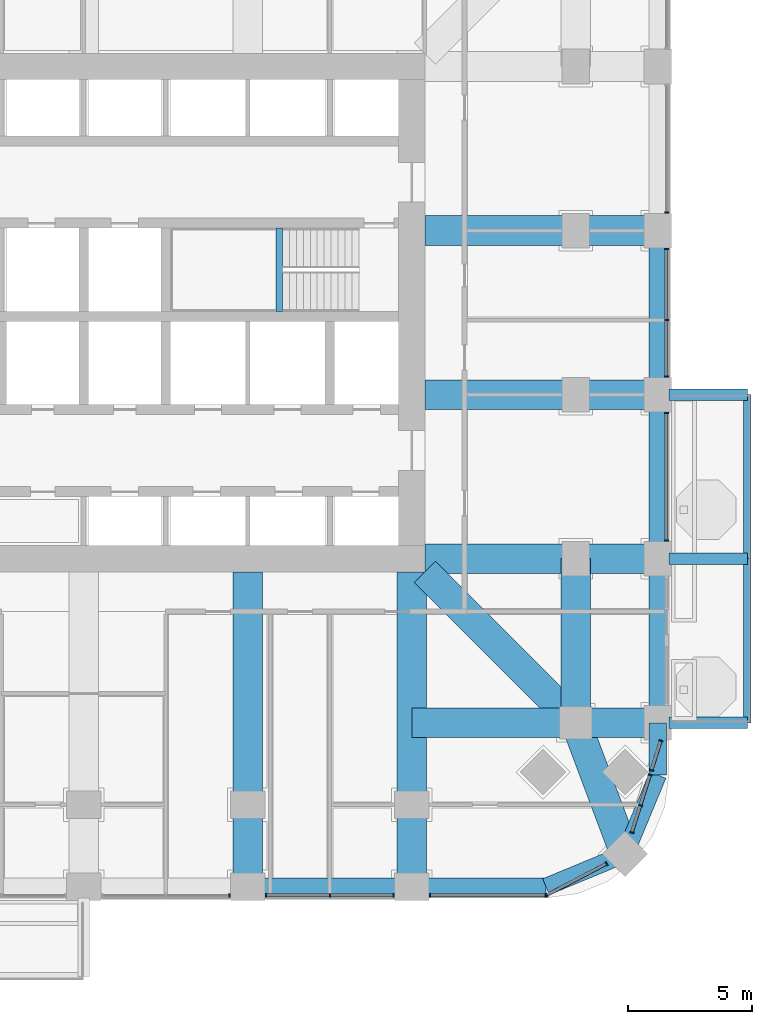
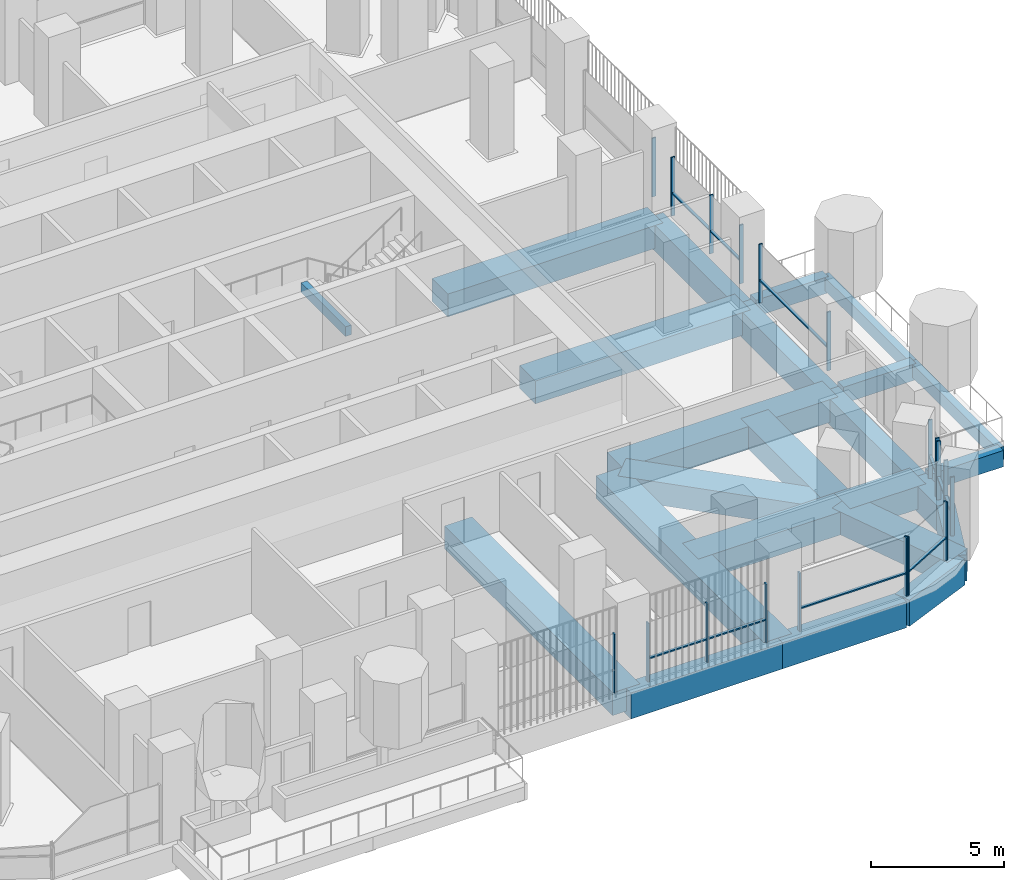
# One storey, part 5 of 21: 29 members, 24 beams, 9 elements without a shape of their own.
"""IFC4 building model written with IfcOpenShell, lengths in metres."""

from ifc_helpers import new_model, si_unit, direction, frame, origin, origin_2d, place, context, subcontext, project, spatial, rectangle, extrude, material, material_profile, profile_set, type_object, element, aggregate, save


model = new_model("IFC4")

# Units and contexts
model_context = context("Model", 3, precision=1e-05, world=origin(), true_north=direction((0.0, 1.0)))
body_context = subcontext(model_context, "Body", "Model", "MODEL_VIEW")
ifc_project = project(units=[si_unit("LENGTHUNIT", "METRE"), si_unit("AREAUNIT", "SQUARE_METRE"), si_unit("VOLUMEUNIT", "CUBIC_METRE"), si_unit("PLANEANGLEUNIT", "RADIAN"), si_unit("MASSUNIT", "GRAM", prefix="KILO")], contexts=[model_context])

# Site, building, storey
site_placement = place(None, origin())
site = spatial("IfcSite", under=ifc_project, at=site_placement, CompositionType="ELEMENT")
building_placement = place(site_placement, origin())
building = spatial("IfcBuilding", under=site, at=building_placement, Name="Cobogo Forest Laboratory Tower", CompositionType="ELEMENT")
storey_placement = place(building_placement, frame((0.0, 0.0, 115.800048828125)))
storey = spatial("IfcBuildingStorey", under=building, at=storey_placement, Name="L26", CompositionType="ELEMENT", Elevation=115.800048828125)

# Beams
ifc_material_1 = material(Name="Concrete HA-40 (C40/50)", Category="concrete")
ifc_material_profile_1 = material_profile(ifc_material_1, rectangle(XDim=0.449951171875, YDim=0.75, at=origin_2d()), Name="RC 450x750")
ifc_profile_set_1 = profile_set([ifc_material_profile_1], Name="Concrete HA-40 (C40/50)")
beam_type_1 = type_object("IfcBeamType", Name="Balcony cantilever beam 450x750", PredefinedType="BEAM", material=ifc_profile_set_1)
for number, where, z_axis, x_axis, name in (
    (1, (49.949951171875, 6.60009765625, -0.625), (1.0, 0.0, 0.0), (0.0, 1.0, 0.0), "CB1 BAL-E1-C1 L26"),
    (2, (49.949951171875, 13.199951171875, -0.625), (1.0, 0.0, 0.0), (0.0, 1.0, 0.0), "CB1 BAL-E1-C2 L26"),
    (3, (49.949951171875, 19.800048828125, -0.625), (1.0, 0.0, 0.0), (0.0, 1.0, 0.0), "CB1 BAL-E1-C3 L26"),
):
    element("IfcBeam", number, at=place(storey_placement, frame(where, z_axis=z_axis, x_axis=x_axis)), inside=storey, type_object=beam_type_1, Name=name, PredefinedType="BEAM", context=body_context, shape_type="SweptSolid", body=[
        extrude(rectangle(XDim=0.449951171875, YDim=0.75, at=origin_2d()), origin(), (0.0, 0.0, 1.0), 3.150146484375),
    ])
ifc_material_profile_2 = material_profile(ifc_material_1, rectangle(XDim=0.300048828125, YDim=0.60009765625, at=origin_2d()), Name="RC 300x600")
ifc_profile_set_2 = profile_set([ifc_material_profile_2], Name="Concrete HA-40 (C40/50)")
beam_type_2 = type_object("IfcBeamType", Name="Balcony edge beam 300x600", PredefinedType="BEAM", material=ifc_profile_set_2)
beam_1_placement = place(storey_placement, frame((53.10009765625, 6.60009765625, -0.550048828125), z_axis=(0.0, 1.0, 0.0), x_axis=(-1.0, 0.0, 0.0)))
element("IfcBeam", 4, at=beam_1_placement, inside=storey, type_object=beam_type_2, Name="BB1 BAL-E1-T1 L26", PredefinedType="BEAM", context=body_context, shape_type="SweptSolid", body=[
    extrude(rectangle(XDim=0.300048828125, YDim=0.60009765625, at=origin_2d()), origin(), (0.0, 0.0, 1.0), 6.599853515625),
])
beam_2_placement = place(storey_placement, frame((53.10009765625, 13.199951171875, -0.550048828125), z_axis=(0.0, 1.0, 0.0), x_axis=(-1.0, 0.0, 0.0)))
element("IfcBeam", 5, at=beam_2_placement, inside=storey, type_object=beam_type_2, Name="BB1 BAL-E1-T2 L26", PredefinedType="BEAM", context=body_context, shape_type="SweptSolid", body=[
    extrude(rectangle(XDim=0.300048828125, YDim=0.60009765625, at=origin_2d()), origin(), (0.0, 0.0, 1.0), 6.60009765625),
])
ifc_material_profile_3 = material_profile(ifc_material_1, rectangle(XDim=0.25, YDim=0.449951171875, at=origin_2d()), Name="RC 250x450")
ifc_profile_set_3 = profile_set([ifc_material_profile_3], Name="Concrete HA-40 (C40/50)")
beam_type_3 = type_object("IfcBeamType", Name="LB1 landing beam 250x450", PredefinedType="BEAM", material=ifc_profile_set_3)
beam_3_placement = place(storey_placement, frame((34.27001953125, 23.14990234375, 1.675048828125), z_axis=(0.0, 1.0, 0.0), x_axis=(-1.0, 0.0, 0.0)))
element("IfcBeam", 6, at=beam_3_placement, inside=storey, type_object=beam_type_3, Name="Landing beam ST2 L26", PredefinedType="BEAM", context=body_context, shape_type="SweptSolid", body=[
    extrude(rectangle(XDim=0.25, YDim=0.449951171875, at=origin_2d()), origin(), (0.0, 0.0, 1.0), 3.35009765625),
])
ifc_material_profile_4 = material_profile(ifc_material_1, rectangle(XDim=1.199951171875, YDim=1.050048828125, at=origin_2d()), Name="RC 1200x1050")
ifc_profile_set_4 = profile_set([ifc_material_profile_4], Name="Concrete HA-40 (C40/50)")
beam_type_4 = type_object("IfcBeamType", Name="Laboratory floor wide beam 1200x1050", PredefinedType="BEAM", material=ifc_profile_set_4)
for number, where, z_axis, x_axis, name in (
    (7, (33.0, 12.675048828125, -0.824951171875), (0.0, -1.0, 0.0), (1.0, 0.0, 0.0), "RB1 R-6-S L26"),
    (8, (39.60009765625, 12.675048828125, -0.824951171875), (0.0, -1.0, 0.0), (1.0, 0.0, 0.0), "RB1 R-7-S L26"),
):
    element("IfcBeam", number, at=place(storey_placement, frame(where, z_axis=z_axis, x_axis=x_axis)), inside=storey, type_object=beam_type_4, Name=name, PredefinedType="BEAM", context=body_context, shape_type="SweptSolid", body=[
        extrude(rectangle(XDim=1.199951171875, YDim=1.050048828125, at=origin_2d()), origin(), (0.0, 0.0, 1.0), 12.675048828125),
    ])
for number, where, z_axis, x_axis, name in (
    (9, (40.125, 13.199951171875, -0.824951171875), (1.0, 0.0, 0.0), (0.0, 1.0, 0.0), "RB1 R-C-E L26"),
    (10, (40.125, 19.800048828125, -0.824951171875), (1.0, 0.0, 0.0), (0.0, 1.0, 0.0), "RB1 R-D-E L26"),
    (11, (40.125, 26.39990234375, -0.824951171875), (1.0, 0.0, 0.0), (0.0, 1.0, 0.0), "RB1 R-E-E L26"),
):
    element("IfcBeam", number, at=place(storey_placement, frame(where, z_axis=z_axis, x_axis=x_axis)), inside=storey, type_object=beam_type_4, Name=name, PredefinedType="BEAM", context=body_context, shape_type="SweptSolid", body=[
        extrude(rectangle(XDim=1.199951171875, YDim=1.050048828125, at=origin_2d()), origin(), (0.0, 0.0, 1.0), 9.375),
    ])
beam_4_placement = place(storey_placement, frame((46.199951171875, 6.60009765625, -0.824951171875), z_axis=(0.0, 1.0, 0.0), x_axis=(-1.0, 0.0, 0.0)))
element("IfcBeam", 12, at=beam_4_placement, inside=storey, type_object=beam_type_4, Name="RB1 G-SE-XC L26", PredefinedType="BEAM", context=body_context, shape_type="SweptSolid", body=[
    extrude(rectangle(XDim=1.199951171875, YDim=1.050048828125, at=origin_2d()), origin(), (0.0, 0.0, 1.0), 6.599853515625),
])
beam_5_placement = place(storey_placement, frame((49.5, 6.60009765625, -0.824951171875), z_axis=(-1.0, 0.0, 0.0), x_axis=(0.0, -1.0, 0.0)))
element("IfcBeam", 13, at=beam_5_placement, inside=storey, type_object=beam_type_4, Name="RB1 G-SE-YF L26", PredefinedType="BEAM", context=body_context, shape_type="SweptSolid", body=[
    extrude(rectangle(XDim=1.199951171875, YDim=1.050048828125, at=origin_2d()), origin(), (0.0, 0.0, 1.0), 3.300048828125),
])
beam_6_placement = place(storey_placement, frame((46.199951171875, 6.60009765625, -0.824951171875), z_axis=(-1.0, 0.0, 0.0), x_axis=(0.0, -1.0, 0.0)))
element("IfcBeam", 14, at=beam_6_placement, inside=storey, type_object=beam_type_4, Name="RB1 G-SE-YC L26", PredefinedType="BEAM", context=body_context, shape_type="SweptSolid", body=[
    extrude(rectangle(XDim=1.199951171875, YDim=1.050048828125, at=origin_2d()), origin(), (0.0, 0.0, 1.0), 6.599853515625),
])
beam_7_placement = place(storey_placement, frame((48.181884765625, 1.318115234375, -0.824951171875), z_axis=(-0.351308391925, 0.936259800356, 0.0), x_axis=(-0.936259800356, -0.351308391925, 0.0)))
element("IfcBeam", 15, at=beam_7_placement, inside=storey, type_object=beam_type_4, Name="RB1 G-SE-D1 L26", PredefinedType="BEAM", context=body_context, shape_type="SweptSolid", body=[
    extrude(rectangle(XDim=1.199951171875, YDim=1.050048828125, at=origin_2d()), origin(), (0.0, 0.0, 1.0), 5.6416015625),
])
beam_8_placement = place(storey_placement, frame((46.199951171875, 6.60009765625, -0.824951171875), z_axis=(-0.707106781187, 0.707106781187, 0.0), x_axis=(-0.707106781187, -0.707106781187, 0.0)))
element("IfcBeam", 16, at=beam_8_placement, inside=storey, type_object=beam_type_4, Name="RB1 G-SE-D2 L26", PredefinedType="BEAM", context=body_context, shape_type="SweptSolid", body=[
    extrude(rectangle(XDim=1.199951171875, YDim=1.050048828125, at=origin_2d()), origin(), (0.0, 0.0, 1.0), 8.59130859375),
])

# Curtain wall, member
ifc_material_2 = material(Name="Aluminium curtain wall", Category="aluminium")
curtain_wall_type = type_object("IfcCurtainWallType", Name="CW-1 unitised curtain wall, clear glazing, laboratory floors zones A and B", PredefinedType="USERDEFINED", material=ifc_material_2)
curtain_wall_1_placement = place(storey_placement, origin())
curtain_wall_1 = element("IfcCurtainWall", 17, at=curtain_wall_1_placement, inside=storey, type_object=curtain_wall_type, Name="Curtain wall 04 L26", ObjectType="UNITISED CURTAIN WALL", PredefinedType="USERDEFINED")
ifc_material_3 = material(Name="Aluminium mullion", Category="aluminium")
ifc_material_profile_5 = material_profile(ifc_material_3, rectangle(XDim=0.06005859375, YDim=0.159912109375, at=origin_2d()), Name="AL 60x160")
ifc_profile_set_5 = profile_set([ifc_material_profile_5], Name="Aluminium mullion")
member_type_1 = type_object("IfcMemberType", Name="MU-1 aluminium mullion 60x160", PredefinedType="MULLION", material=ifc_profile_set_5)
member_1_placement = place(storey_placement, frame((32.27001953125, -0.35009765625, 0.0), z_axis=(0.0, 0.0, 1.0), x_axis=(1.0, 0.0, 0.0)))
member_1 = element("IfcMember", 18, at=member_1_placement, type_object=member_type_1, Name="CW-1 mullion 3", PredefinedType="MULLION", context=body_context, shape_type="SweptSolid", body=[
    extrude(rectangle(XDim=0.06005859375, YDim=0.159912109375, at=origin_2d()), origin(), (0.0, 0.0, 1.0), 2.699951171875),
])
aggregate(curtain_wall_1, [member_1])

# Curtain wall, members
curtain_wall_2_placement = place(storey_placement, origin())
curtain_wall_2 = element("IfcCurtainWall", 19, at=curtain_wall_2_placement, inside=storey, type_object=curtain_wall_type, Name="Curtain wall 05 L26", ObjectType="UNITISED CURTAIN WALL", PredefinedType="USERDEFINED")
member_2_placement = place(storey_placement, frame((33.72998046875, -0.35009765625, 0.0), z_axis=(0.0, 0.0, 1.0), x_axis=(1.0, 0.0, 0.0)))
member_2 = element("IfcMember", 20, at=member_2_placement, type_object=member_type_1, Name="CW-1 mullion 1", PredefinedType="MULLION", context=body_context, shape_type="SweptSolid", body=[
    extrude(rectangle(XDim=0.06005859375, YDim=0.159912109375, at=origin_2d()), origin(), (0.0, 0.0, 1.0), 2.699951171875),
])
member_3_placement = place(storey_placement, frame((36.300048828125, -0.35009765625, 0.0), z_axis=(0.0, 0.0, 1.0), x_axis=(1.0, 0.0, 0.0)))
member_3 = element("IfcMember", 21, at=member_3_placement, type_object=member_type_1, Name="CW-1 mullion 2", PredefinedType="MULLION", context=body_context, shape_type="SweptSolid", body=[
    extrude(rectangle(XDim=0.06005859375, YDim=0.159912109375, at=origin_2d()), origin(), (0.0, 0.0, 1.0), 2.699951171875),
])
member_4_placement = place(storey_placement, frame((38.8701171875, -0.35009765625, 0.0), z_axis=(0.0, 0.0, 1.0), x_axis=(1.0, 0.0, 0.0)))
member_4 = element("IfcMember", 22, at=member_4_placement, type_object=member_type_1, Name="CW-1 mullion 3", PredefinedType="MULLION", context=body_context, shape_type="SweptSolid", body=[
    extrude(rectangle(XDim=0.06005859375, YDim=0.159912109375, at=origin_2d()), origin(), (0.0, 0.0, 1.0), 2.699951171875),
])

curtain_wall_3_placement = place(storey_placement, origin())
curtain_wall_3 = element("IfcCurtainWall", 23, at=curtain_wall_3_placement, inside=storey, type_object=curtain_wall_type, Name="Curtain wall 06 L26", ObjectType="UNITISED CURTAIN WALL", PredefinedType="USERDEFINED")
member_5_placement = place(storey_placement, frame((40.330078125, -0.35009765625, 0.0), z_axis=(0.0, 0.0, 1.0), x_axis=(1.0, 0.0, 0.0)))
member_5 = element("IfcMember", 24, at=member_5_placement, type_object=member_type_1, Name="CW-1 mullion 1", PredefinedType="MULLION", context=body_context, shape_type="SweptSolid", body=[
    extrude(rectangle(XDim=0.06005859375, YDim=0.159912109375, at=origin_2d()), origin(), (0.0, 0.0, 1.0), 2.699951171875),
])
member_6_placement = place(storey_placement, frame((44.969970703125, -0.35009765625, 0.0), z_axis=(0.0, 0.0, 1.0), x_axis=(1.0, 0.0, 0.0)))
member_6 = element("IfcMember", 25, at=member_6_placement, type_object=member_type_1, Name="CW-1 mullion 2", PredefinedType="MULLION", context=body_context, shape_type="SweptSolid", body=[
    extrude(rectangle(XDim=0.06005859375, YDim=0.159912109375, at=origin_2d()), origin(), (0.0, 0.0, 1.0), 2.699951171875),
])

curtain_wall_4_placement = place(storey_placement, origin())
curtain_wall_4 = element("IfcCurtainWall", 26, at=curtain_wall_4_placement, inside=storey, type_object=curtain_wall_type, Name="Curtain wall 07 L26", ObjectType="UNITISED CURTAIN WALL", PredefinedType="USERDEFINED")
member_7_placement = place(storey_placement, frame((45.026611328125, -0.336181640625, 0.0), z_axis=(0.0, 0.0, 1.0), x_axis=(0.885686547075, 0.464283685186, 0.0)))
member_7 = element("IfcMember", 27, at=member_7_placement, type_object=member_type_1, Name="CW-1 mullion 1", PredefinedType="MULLION", context=body_context, shape_type="SweptSolid", body=[
    extrude(rectangle(XDim=0.06005859375, YDim=0.159912109375, at=origin_2d()), origin(), (0.0, 0.0, 1.0), 2.699951171875),
])
member_8_placement = place(storey_placement, frame((47.431640625, 0.9248046875, 0.0), z_axis=(0.0, 0.0, 1.0), x_axis=(0.885686547075, 0.464283685186, 0.0)))
member_8 = element("IfcMember", 28, at=member_8_placement, type_object=member_type_1, Name="CW-1 mullion 2", PredefinedType="MULLION", context=body_context, shape_type="SweptSolid", body=[
    extrude(rectangle(XDim=0.06005859375, YDim=0.159912109375, at=origin_2d()), origin(), (0.0, 0.0, 1.0), 2.699951171875),
])

curtain_wall_5_placement = place(storey_placement, origin())
curtain_wall_5 = element("IfcCurtainWall", 29, at=curtain_wall_5_placement, inside=storey, type_object=curtain_wall_type, Name="Curtain wall 08 L26", ObjectType="UNITISED CURTAIN WALL", PredefinedType="USERDEFINED")
member_9_placement = place(storey_placement, frame((48.455810546875, 2.18505859375, 0.0), z_axis=(0.0, 0.0, 1.0), x_axis=(0.301135291996, 0.953581425949, 0.0)))
member_9 = element("IfcMember", 30, at=member_9_placement, type_object=member_type_1, Name="CW-1 mullion 1", PredefinedType="MULLION", context=body_context, shape_type="SweptSolid", body=[
    extrude(rectangle(XDim=0.06005859375, YDim=0.159912109375, at=origin_2d()), origin(), (0.0, 0.0, 1.0), 2.699951171875),
])
member_10_placement = place(storey_placement, frame((48.80029296875, 3.27587890625, 0.0), z_axis=(0.0, 0.0, 1.0), x_axis=(0.301135291996, 0.953581425949, 0.0)))
member_10 = element("IfcMember", 31, at=member_10_placement, type_object=member_type_1, Name="CW-1 mullion 2", PredefinedType="MULLION", context=body_context, shape_type="SweptSolid", body=[
    extrude(rectangle(XDim=0.06005859375, YDim=0.159912109375, at=origin_2d()), origin(), (0.0, 0.0, 1.0), 2.699951171875),
])
member_11_placement = place(storey_placement, frame((49.18701171875, 4.500244140625, 0.0), z_axis=(0.0, 0.0, 1.0), x_axis=(0.301135291996, 0.953581425949, 0.0)))
member_11 = element("IfcMember", 32, at=member_11_placement, type_object=member_type_1, Name="CW-1 mullion 3", PredefinedType="MULLION", context=body_context, shape_type="SweptSolid", body=[
    extrude(rectangle(XDim=0.06005859375, YDim=0.159912109375, at=origin_2d()), origin(), (0.0, 0.0, 1.0), 2.699951171875),
])

curtain_wall_6_placement = place(storey_placement, origin())
curtain_wall_6 = element("IfcCurtainWall", 33, at=curtain_wall_6_placement, inside=storey, type_object=curtain_wall_type, Name="Curtain wall 09 L26", ObjectType="UNITISED CURTAIN WALL", PredefinedType="USERDEFINED")
member_12_placement = place(storey_placement, frame((49.247802734375, 4.69287109375, 0.0), z_axis=(0.0, 0.0, 1.0), x_axis=(0.301135356805, 0.953581405483, 0.0)))
member_12 = element("IfcMember", 34, at=member_12_placement, type_object=member_type_1, Name="CW-1 mullion 1", PredefinedType="MULLION", context=body_context, shape_type="SweptSolid", body=[
    extrude(rectangle(XDim=0.06005859375, YDim=0.159912109375, at=origin_2d()), origin(), (0.0, 0.0, 1.0), 2.699951171875),
])
member_13_placement = place(storey_placement, frame((49.619873046875, 5.871337890625, 0.0), z_axis=(0.0, 0.0, 1.0), x_axis=(0.301135356805, 0.953581405483, 0.0)))
member_13 = element("IfcMember", 35, at=member_13_placement, type_object=member_type_1, Name="CW-1 mullion 2", PredefinedType="MULLION", context=body_context, shape_type="SweptSolid", body=[
    extrude(rectangle(XDim=0.06005859375, YDim=0.159912109375, at=origin_2d()), origin(), (0.0, 0.0, 1.0), 2.699951171875),
])

curtain_wall_7_placement = place(storey_placement, origin())
curtain_wall_7 = element("IfcCurtainWall", 36, at=curtain_wall_7_placement, inside=storey, type_object=curtain_wall_type, Name="Curtain wall 11 L26", ObjectType="UNITISED CURTAIN WALL", PredefinedType="USERDEFINED")
member_14_placement = place(storey_placement, frame((49.85009765625, 13.929931640625, 0.0), z_axis=(0.0, 0.0, 1.0), x_axis=(0.0, 1.0, 0.0)))
member_14 = element("IfcMember", 37, at=member_14_placement, type_object=member_type_1, Name="CW-1 mullion 1", PredefinedType="MULLION", context=body_context, shape_type="SweptSolid", body=[
    extrude(rectangle(XDim=0.06005859375, YDim=0.159912109375, at=origin_2d()), origin(), (0.0, 0.0, 1.0), 2.699951171875),
])
member_15_placement = place(storey_placement, frame((49.85009765625, 19.070068359375, 0.0), z_axis=(0.0, 0.0, 1.0), x_axis=(0.0, 1.0, 0.0)))
member_15 = element("IfcMember", 38, at=member_15_placement, type_object=member_type_1, Name="CW-1 mullion 2", PredefinedType="MULLION", context=body_context, shape_type="SweptSolid", body=[
    extrude(rectangle(XDim=0.06005859375, YDim=0.159912109375, at=origin_2d()), origin(), (0.0, 0.0, 1.0), 2.699951171875),
])

curtain_wall_8_placement = place(storey_placement, origin())
curtain_wall_8 = element("IfcCurtainWall", 39, at=curtain_wall_8_placement, inside=storey, type_object=curtain_wall_type, Name="Curtain wall 12 L26", ObjectType="UNITISED CURTAIN WALL", PredefinedType="USERDEFINED")
member_16_placement = place(storey_placement, frame((49.85009765625, 20.530029296875, 0.0), z_axis=(0.0, 0.0, 1.0), x_axis=(0.0, 1.0, 0.0)))
member_16 = element("IfcMember", 40, at=member_16_placement, type_object=member_type_1, Name="CW-1 mullion 1", PredefinedType="MULLION", context=body_context, shape_type="SweptSolid", body=[
    extrude(rectangle(XDim=0.06005859375, YDim=0.159912109375, at=origin_2d()), origin(), (0.0, 0.0, 1.0), 2.699951171875),
])
member_17_placement = place(storey_placement, frame((49.85009765625, 22.800048828125, 0.0), z_axis=(0.0, 0.0, 1.0), x_axis=(0.0, 1.0, 0.0)))
member_17 = element("IfcMember", 41, at=member_17_placement, type_object=member_type_1, Name="CW-1 mullion 2", PredefinedType="MULLION", context=body_context, shape_type="SweptSolid", body=[
    extrude(rectangle(XDim=0.06005859375, YDim=0.159912109375, at=origin_2d()), origin(), (0.0, 0.0, 1.0), 2.699951171875),
])
member_18_placement = place(storey_placement, frame((49.85009765625, 25.669921875, 0.0), z_axis=(0.0, 0.0, 1.0), x_axis=(0.0, 1.0, 0.0)))
member_18 = element("IfcMember", 42, at=member_18_placement, type_object=member_type_1, Name="CW-1 mullion 3", PredefinedType="MULLION", context=body_context, shape_type="SweptSolid", body=[
    extrude(rectangle(XDim=0.06005859375, YDim=0.159912109375, at=origin_2d()), origin(), (0.0, 0.0, 1.0), 2.699951171875),
])

# Curtain wall, member
curtain_wall_9_placement = place(storey_placement, origin())
curtain_wall_9 = element("IfcCurtainWall", 43, at=curtain_wall_9_placement, inside=storey, type_object=curtain_wall_type, Name="Curtain wall 13 L26", ObjectType="UNITISED CURTAIN WALL", PredefinedType="USERDEFINED")
member_19_placement = place(storey_placement, frame((49.85009765625, 27.1298828125, 0.0), z_axis=(0.0, 0.0, 1.0), x_axis=(0.0, 1.0, 0.0)))
member_19 = element("IfcMember", 44, at=member_19_placement, type_object=member_type_1, Name="CW-1 mullion 1", PredefinedType="MULLION", context=body_context, shape_type="SweptSolid", body=[
    extrude(rectangle(XDim=0.06005859375, YDim=0.159912109375, at=origin_2d()), origin(), (0.0, 0.0, 1.0), 2.699951171875),
])
aggregate(curtain_wall_9, [member_19])

# Beams
ifc_material_profile_6 = material_profile(ifc_material_1, rectangle(XDim=0.699951171875, YDim=1.199951171875, at=origin_2d()), Name="RC 700x1200")
ifc_profile_set_6 = profile_set([ifc_material_profile_6], Name="Concrete HA-40 (C40/50)")
beam_type_5 = type_object("IfcBeamType", Name="Perimeter edge beam 700x1200", PredefinedType="BEAM", material=ifc_profile_set_6)
beam_9_placement = place(storey_placement, frame((33.0, 0.0, -0.900146484375), z_axis=(1.0, 0.0, 0.0), x_axis=(0.0, 1.0, 0.0)))
element("IfcBeam", 45, at=beam_9_placement, inside=storey, type_object=beam_type_5, Name="EB1 E-S4 L26", PredefinedType="BEAM", context=body_context, shape_type="SweptSolid", body=[
    extrude(rectangle(XDim=0.699951171875, YDim=1.199951171875, at=origin_2d()), origin(), (0.0, 0.0, 1.0), 6.60009765625),
])
beam_10_placement = place(storey_placement, frame((49.5, 6.60009765625, -0.900146484375), z_axis=(0.0, 1.0, 0.0), x_axis=(-1.0, 0.0, 0.0)))
element("IfcBeam", 46, at=beam_10_placement, inside=storey, type_object=beam_type_5, Name="EB1 E-E1 L26", PredefinedType="BEAM", context=body_context, shape_type="SweptSolid", body=[
    extrude(rectangle(XDim=0.699951171875, YDim=1.199951171875, at=origin_2d()), origin(), (0.0, 0.0, 1.0), 6.599853515625),
])
beam_11_placement = place(storey_placement, frame((49.5, 13.199951171875, -0.900146484375), z_axis=(0.0, 1.0, 0.0), x_axis=(-1.0, 0.0, 0.0)))
element("IfcBeam", 47, at=beam_11_placement, inside=storey, type_object=beam_type_5, Name="EB1 E-E2 L26", PredefinedType="BEAM", context=body_context, shape_type="SweptSolid", body=[
    extrude(rectangle(XDim=0.699951171875, YDim=1.199951171875, at=origin_2d()), origin(), (0.0, 0.0, 1.0), 6.60009765625),
])
beam_12_placement = place(storey_placement, frame((49.5, 19.800048828125, -0.900146484375), z_axis=(0.0, 1.0, 0.0), x_axis=(-1.0, 0.0, 0.0)))
element("IfcBeam", 48, at=beam_12_placement, inside=storey, type_object=beam_type_5, Name="EB1 E-E3 L26", PredefinedType="BEAM", context=body_context, shape_type="SweptSolid", body=[
    extrude(rectangle(XDim=0.699951171875, YDim=1.199951171875, at=origin_2d()), origin(), (0.0, 0.0, 1.0), 6.599853515625),
])
beam_13_placement = place(storey_placement, frame((39.60009765625, 0.0, -0.900146484375), z_axis=(1.0, 0.0, 0.0), x_axis=(0.0, 1.0, 0.0)))
element("IfcBeam", 49, at=beam_13_placement, inside=storey, type_object=beam_type_5, Name="EB1 E-SES1 L26", PredefinedType="BEAM", context=body_context, shape_type="SweptSolid", body=[
    extrude(rectangle(XDim=0.699951171875, YDim=1.199951171875, at=origin_2d()), origin(), (0.0, 0.0, 1.0), 5.39990234375),
])
beam_14_placement = place(storey_placement, frame((45.0, 0.0, -0.900146484375), z_axis=(0.923865631356, 0.382716990999, 0.0), x_axis=(-0.382716990999, 0.923865631356, 0.0)))
element("IfcBeam", 50, at=beam_14_placement, inside=storey, type_object=beam_type_5, Name="EB1 E-SES2 L26", PredefinedType="BEAM", context=body_context, shape_type="SweptSolid", body=[
    extrude(rectangle(XDim=0.699951171875, YDim=1.199951171875, at=origin_2d()), origin(), (0.0, 0.0, 1.0), 3.444091796875),
])
beam_15_placement = place(storey_placement, frame((49.5, 6.60009765625, -0.900146484375), z_axis=(0.0, -1.0, 0.0), x_axis=(1.0, 0.0, 0.0)))
element("IfcBeam", 51, at=beam_15_placement, inside=storey, type_object=beam_type_5, Name="EB1 E-SEE1 L26", PredefinedType="BEAM", context=body_context, shape_type="SweptSolid", body=[
    extrude(rectangle(XDim=0.699951171875, YDim=1.199951171875, at=origin_2d()), origin(), (0.0, 0.0, 1.0), 2.10009765625),
])
beam_16_placement = place(storey_placement, frame((49.5, 4.5, -0.900146484375), z_axis=(-0.382716990999, -0.923865631356, 0.0), x_axis=(0.923865631356, -0.382716990999, 0.0)))
element("IfcBeam", 52, at=beam_16_placement, inside=storey, type_object=beam_type_5, Name="EB1 E-SEE2 L26", PredefinedType="BEAM", context=body_context, shape_type="SweptSolid", body=[
    extrude(rectangle(XDim=0.699951171875, YDim=1.199951171875, at=origin_2d()), origin(), (0.0, 0.0, 1.0), 3.444091796875),
])

# Member
ifc_material_4 = material(Name="Aluminium transom", Category="aluminium")
ifc_material_profile_7 = material_profile(ifc_material_4, rectangle(XDim=0.1201171875, YDim=0.06005859375, at=origin_2d()), Name="AL 60x120")
ifc_profile_set_7 = profile_set([ifc_material_profile_7], Name="Aluminium transom")
member_type_2 = type_object("IfcMemberType", Name="TR-1 aluminium transom 60x120", PredefinedType="USERDEFINED", material=ifc_profile_set_7)
member_20_placement = place(storey_placement, frame((33.760009765625, -0.35009765625, 1.050048828125), z_axis=(1.0, 0.0, 0.0), x_axis=(0.0, 1.0, 0.0)))
member_20 = element("IfcMember", 53, at=member_20_placement, type_object=member_type_2, Name="CW-1 transom 1.1", ObjectType="TRANSOM", PredefinedType="USERDEFINED", context=body_context, shape_type="SweptSolid", body=[
    extrude(rectangle(XDim=0.1201171875, YDim=0.06005859375, at=origin_2d()), origin(), (0.0, 0.0, 1.0), 2.510009765625),
])

member_21_placement = place(storey_placement, frame((36.330078125, -0.35009765625, 1.050048828125), z_axis=(1.0, 0.0, 0.0), x_axis=(0.0, 1.0, 0.0)))
member_21 = element("IfcMember", 54, at=member_21_placement, type_object=member_type_2, Name="CW-1 transom 2.1", ObjectType="TRANSOM", PredefinedType="USERDEFINED", context=body_context, shape_type="SweptSolid", body=[
    extrude(rectangle(XDim=0.1201171875, YDim=0.06005859375, at=origin_2d()), origin(), (0.0, 0.0, 1.0), 2.510009765625),
])

aggregate(curtain_wall_2, [member_2, member_3, member_4, member_20, member_21])

member_22_placement = place(storey_placement, frame((40.360107421875, -0.35009765625, 1.050048828125), z_axis=(1.0, 0.0, 0.0), x_axis=(0.0, 1.0, 0.0)))
member_22 = element("IfcMember", 55, at=member_22_placement, type_object=member_type_2, Name="CW-1 transom 1.1", ObjectType="TRANSOM", PredefinedType="USERDEFINED", context=body_context, shape_type="SweptSolid", body=[
    extrude(rectangle(XDim=0.1201171875, YDim=0.06005859375, at=origin_2d()), origin(), (0.0, 0.0, 1.0), 4.579833984375),
])

aggregate(curtain_wall_3, [member_5, member_6, member_22])

member_23_placement = place(storey_placement, frame((45.05322265625, -0.322021484375, 1.050048828125), z_axis=(0.885674922116, 0.464305860758, 0.0), x_axis=(-0.464305860758, 0.885674922116, 0.0)))
member_23 = element("IfcMember", 56, at=member_23_placement, type_object=member_type_2, Name="CW-1 transom 1.1", ObjectType="TRANSOM", PredefinedType="USERDEFINED", context=body_context, shape_type="SweptSolid", body=[
    extrude(rectangle(XDim=0.1201171875, YDim=0.06005859375, at=origin_2d()), origin(), (0.0, 0.0, 1.0), 2.6552734375),
])

aggregate(curtain_wall_4, [member_7, member_8, member_23])

member_24_placement = place(storey_placement, frame((48.46484375, 2.213623046875, 1.050048828125), z_axis=(0.301120589075, 0.953586068918, 0.0), x_axis=(-0.953586068918, 0.301120589075, 0.0)))
member_24 = element("IfcMember", 57, at=member_24_placement, type_object=member_type_2, Name="CW-1 transom 1.1", ObjectType="TRANSOM", PredefinedType="USERDEFINED", context=body_context, shape_type="SweptSolid", body=[
    extrude(rectangle(XDim=0.1201171875, YDim=0.06005859375, at=origin_2d()), origin(), (0.0, 0.0, 1.0), 1.083984375),
])

member_25_placement = place(storey_placement, frame((48.809326171875, 3.304443359375, 1.050048828125), z_axis=(0.301169549566, 0.953570606937, 0.0), x_axis=(-0.953570606937, 0.301169549566, 0.0)))
member_25 = element("IfcMember", 58, at=member_25_placement, type_object=member_type_2, Name="CW-1 transom 2.1", ObjectType="TRANSOM", PredefinedType="USERDEFINED", context=body_context, shape_type="SweptSolid", body=[
    extrude(rectangle(XDim=0.1201171875, YDim=0.06005859375, at=origin_2d()), origin(), (0.0, 0.0, 1.0), 1.22412109375),
])

aggregate(curtain_wall_5, [member_9, member_10, member_11, member_24, member_25])

member_26_placement = place(storey_placement, frame((49.2568359375, 4.7216796875, 1.050048828125), z_axis=(0.301111490799, 0.953588941897, 0.0), x_axis=(-0.953588941897, 0.301111490799, 0.0)))
member_26 = element("IfcMember", 59, at=member_26_placement, type_object=member_type_2, Name="CW-1 transom 1.1", ObjectType="TRANSOM", PredefinedType="USERDEFINED", context=body_context, shape_type="SweptSolid", body=[
    extrude(rectangle(XDim=0.1201171875, YDim=0.06005859375, at=origin_2d()), origin(), (0.0, 0.0, 1.0), 1.175537109375),
])

aggregate(curtain_wall_6, [member_12, member_13, member_26])

member_27_placement = place(storey_placement, frame((49.85009765625, 13.9599609375, 1.050048828125), z_axis=(0.0, 1.0, 0.0), x_axis=(-1.0, 0.0, 0.0)))
member_27 = element("IfcMember", 60, at=member_27_placement, type_object=member_type_2, Name="CW-1 transom 1.1", ObjectType="TRANSOM", PredefinedType="USERDEFINED", context=body_context, shape_type="SweptSolid", body=[
    extrude(rectangle(XDim=0.1201171875, YDim=0.06005859375, at=origin_2d()), origin(), (0.0, 0.0, 1.0), 5.080078125),
])

aggregate(curtain_wall_7, [member_14, member_15, member_27])

member_28_placement = place(storey_placement, frame((49.85009765625, 20.56005859375, 1.050048828125), z_axis=(0.0, 1.0, 0.0), x_axis=(-1.0, 0.0, 0.0)))
member_28 = element("IfcMember", 61, at=member_28_placement, type_object=member_type_2, Name="CW-1 transom 1.1", ObjectType="TRANSOM", PredefinedType="USERDEFINED", context=body_context, shape_type="SweptSolid", body=[
    extrude(rectangle(XDim=0.1201171875, YDim=0.06005859375, at=origin_2d()), origin(), (0.0, 0.0, 1.0), 2.2099609375),
])

member_29_placement = place(storey_placement, frame((49.85009765625, 22.830078125, 1.050048828125), z_axis=(0.0, 1.0, 0.0), x_axis=(-1.0, 0.0, 0.0)))
member_29 = element("IfcMember", 62, at=member_29_placement, type_object=member_type_2, Name="CW-1 transom 2.1", ObjectType="TRANSOM", PredefinedType="USERDEFINED", context=body_context, shape_type="SweptSolid", body=[
    extrude(rectangle(XDim=0.1201171875, YDim=0.06005859375, at=origin_2d()), origin(), (0.0, 0.0, 1.0), 2.809814453125),
])

aggregate(curtain_wall_8, [member_16, member_17, member_18, member_28, member_29])

save(model, "model.ifc")
